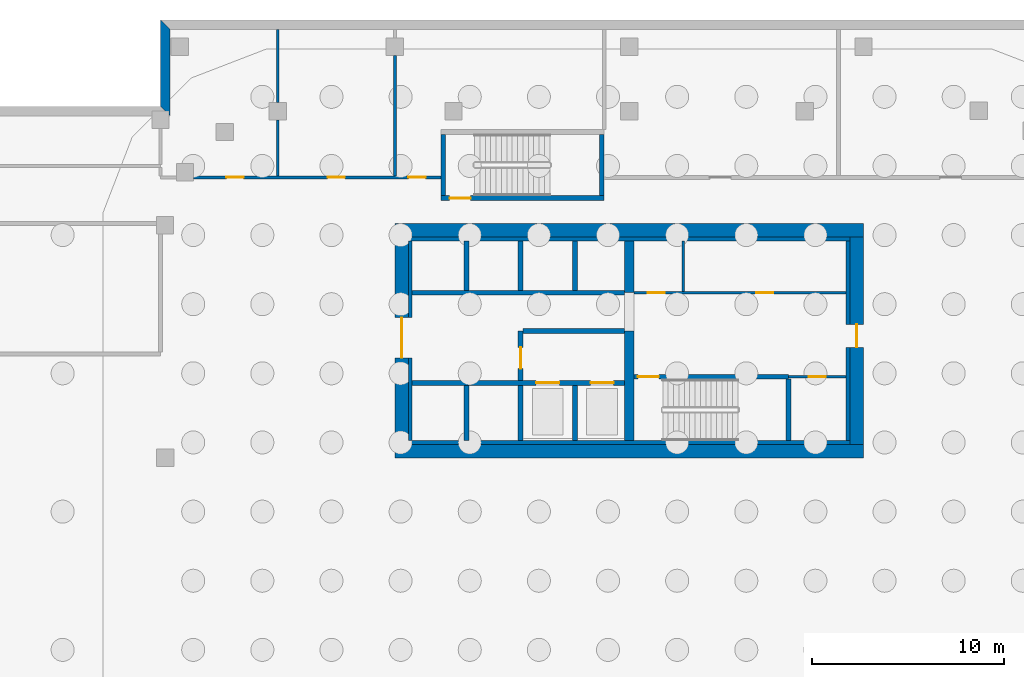
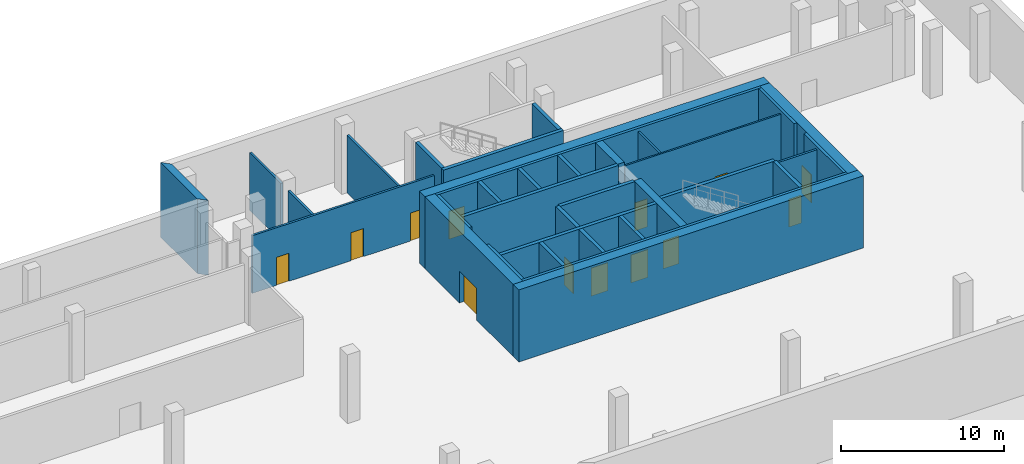
# One storey, part 8 of 13: 35 walls, 13 doors, 13 openings.
"""IFC4 building model written with IfcOpenShell, lengths in metres."""

from ifc_helpers import new_model, si_unit, direction, frame, frame_2d, origin, place, context, subcontext, project, spatial, polyline, rectangle, outline, extrude, source, transform, mapped, material, layer, layer_set, type_object, element, fill, save


model = new_model("IFC4")

# Units and contexts
model_context = context("Model", 3, precision=1e-05, world=origin(), true_north=direction((0.0, 1.0)))
body_context = subcontext(model_context, "Body", "Model", "MODEL_VIEW")
ifc_project = project(units=[si_unit("LENGTHUNIT", "METRE"), si_unit("AREAUNIT", "SQUARE_METRE"), si_unit("VOLUMEUNIT", "CUBIC_METRE"), si_unit("PLANEANGLEUNIT", "RADIAN"), si_unit("MASSUNIT", "GRAM", prefix="KILO")], contexts=[model_context])

# Site, building, storey
site_placement = place(None, origin())
site = spatial("IfcSite", under=ifc_project, at=site_placement, CompositionType="ELEMENT")
building_placement = place(site_placement, origin())
building = spatial("IfcBuilding", under=site, at=building_placement, Name="Tessera Gate Towers", CompositionType="ELEMENT")
storey_placement = place(building_placement, frame((0.0, 0.0, -5.39990234375)))
storey = spatial("IfcBuildingStorey", under=building, at=storey_placement, Name="B1", CompositionType="ELEMENT", Elevation=-5.39990234375)

# Wall, openings, doors
ifc_material_1 = material(Name="Concrete C40/50", Category="concrete")
ifc_layer_1 = layer(ifc_material_1, 0.25)
ifc_layer_set_1 = layer_set([ifc_layer_1], Name="CORE ENCLOSURE WALL 250")
wall_type_1 = type_object("IfcWallType", Name="CORE ENCLOSURE WALL 250", PredefinedType="SOLIDWALL", material=ifc_layer_set_1)
wall_1_placement = place(storey_placement, frame((98.5, 40.5, 0.0), z_axis=(0.0, 0.0, 1.0), x_axis=(1.0, 0.0, 0.0)))
wall_1 = element("IfcWall", 1, at=wall_1_placement, inside=storey, type_object=wall_type_1, Name="B1 shaft and stair enclosure wall", PredefinedType="SOLIDWALL", context=body_context, shape_type="SweptSolid", body=[
    extrude(rectangle(XDim=11.050048828125, YDim=0.25, at=frame_2d((5.52490234375, 0.0))), origin(), (0.0, 0.0, 1.0), 5.39990234375),
])
shared_shape_1 = source(origin(), body_context, "Body", "SweptSolid", [
    extrude(rectangle(XDim=1.199951171875, YDim=2.10009765625, at=frame_2d((0.60009765625, 1.050048828125))), frame((0.0, 0.135009765625, 0.0), z_axis=(0.0, -1.0, 0.0), x_axis=(1.0, 0.0, 0.0)), (0.0, 0.0, 1.0), 0.27001953125),
])
opening_1_placement = place(wall_1_placement, frame((6.46240234375, 0.0, 0.0)))
opening_1 = element("IfcOpeningElement", 2, at=opening_1_placement, cuts=wall_1, Name="Opening LD-FF3", PredefinedType="OPENING", context=body_context, shape_type="MappedRepresentation", body=[
    mapped(shared_shape_1, transform((0.0, 0.0, 0.0), scale=1.0)),
])
opening_2_placement = place(wall_1_placement, frame((9.28759765625, 0.0, 0.0)))
opening_2 = element("IfcOpeningElement", 3, at=opening_2_placement, cuts=wall_1, Name="Opening LD-FF4", PredefinedType="OPENING", context=body_context, shape_type="MappedRepresentation", body=[
    mapped(shared_shape_1, transform((0.0, 0.0, 0.0), scale=1.0)),
])
ifc_material_2 = material(Name="Stainless steel", Category="steel")
door_type_1 = type_object("IfcDoorType", Name="CORE DOOR LD1200 1200x2100", OperationType="DOUBLE_DOOR_SLIDING", PredefinedType="DOOR", material=ifc_material_2)
shared_shape_2 = source(origin(), body_context, "Body", "SweptSolid", [
    extrude(rectangle(XDim=1.199951171875, YDim=2.10009765625, at=frame_2d((0.60009765625, 1.050048828125))), frame((0.0, 0.02490234375, 0.0), z_axis=(0.0, -1.0, 0.0), x_axis=(1.0, 0.0, 0.0)), (0.0, 0.0, 1.0), 0.050048828125),
])
door_1_placement = place(opening_1_placement, origin())
door_1 = element("IfcDoor", 4, at=door_1_placement, inside=storey, type_object=door_type_1, Name="Landing door FF3 B1", OperationType="DOUBLE_DOOR_SLIDING", OverallHeight=2.10009765625, OverallWidth=1.199951171875, PredefinedType="DOOR", context=body_context, shape_type="MappedRepresentation", body=[
    mapped(shared_shape_2, transform((0.0, 0.0, 0.0), scale=1.0)),
])
fill(opening_1, door_1)
door_2_placement = place(opening_2_placement, origin())
door_2 = element("IfcDoor", 5, at=door_2_placement, inside=storey, type_object=door_type_1, Name="Landing door FF4 B1", OperationType="DOUBLE_DOOR_SLIDING", OverallHeight=2.10009765625, OverallWidth=1.199951171875, PredefinedType="DOOR", context=body_context, shape_type="MappedRepresentation", body=[
    mapped(shared_shape_2, transform((0.0, 0.0, 0.0), scale=1.0)),
])
fill(opening_2, door_2)

# Wall
wall_2_placement = place(storey_placement, frame((98.5, 45.199951171875, 0.0), z_axis=(0.0, 0.0, 1.0), x_axis=(1.0, 0.0, 0.0)))
element("IfcWall", 6, at=wall_2_placement, inside=storey, type_object=wall_type_1, Name="B1 shaft and stair enclosure wall", PredefinedType="SOLIDWALL", context=body_context, shape_type="SweptSolid", body=[
    extrude(rectangle(XDim=11.050048828125, YDim=0.25, at=frame_2d((5.52490234375, 0.0))), origin(), (0.0, 0.0, 1.0), 5.39990234375),
])

# Wall, opening, door
wall_3_placement = place(storey_placement, frame((118.10009765625, 40.824951171875, 0.0), z_axis=(0.0, 0.0, 1.0), x_axis=(-1.0, 0.0, 0.0)))
wall_3 = element("IfcWall", 7, at=wall_3_placement, inside=storey, type_object=wall_type_1, Name="B1 shaft and stair enclosure wall", PredefinedType="SOLIDWALL", context=body_context, shape_type="SweptSolid", body=[
    extrude(rectangle(XDim=8.050048828125, YDim=0.25, at=frame_2d((4.02490234375, 0.0))), origin(), (0.0, 0.0, 1.0), 5.39990234375),
])
shared_shape_3 = source(origin(), body_context, "Body", "SweptSolid", [
    extrude(rectangle(XDim=1.10009765625, YDim=2.10009765625, at=frame_2d((0.550048828125, 1.050048828125))), frame((0.0, 0.135009765625, 0.0), z_axis=(0.0, -1.0, 0.0), x_axis=(1.0, 0.0, 0.0)), (0.0, 0.0, 1.0), 0.27001953125),
])
opening_3_placement = place(wall_3_placement, frame((6.75, 0.0, 0.0)))
opening_3 = element("IfcOpeningElement", 8, at=opening_3_placement, cuts=wall_3, Name="Opening SD-ST6-1", PredefinedType="OPENING", context=body_context, shape_type="MappedRepresentation", body=[
    mapped(shared_shape_3, transform((0.0, 0.0, 0.0), scale=1.0)),
])
ifc_material_3 = material(Name="Hollow steel fire door", Category="steel")
door_type_2 = type_object("IfcDoorType", Name="CORE DOOR SD1100 1100x2100", OperationType="NOTDEFINED", PredefinedType="DOOR", material=ifc_material_3)
shared_shape_4 = source(origin(), body_context, "Body", "SweptSolid", [
    extrude(rectangle(XDim=1.10009765625, YDim=2.10009765625, at=frame_2d((0.550048828125, 1.050048828125))), frame((0.0, 0.02490234375, 0.0), z_axis=(0.0, -1.0, 0.0), x_axis=(1.0, 0.0, 0.0)), (0.0, 0.0, 1.0), 0.050048828125),
])
door_3_placement = place(opening_3_placement, origin())
door_3 = element("IfcDoor", 9, at=door_3_placement, inside=storey, type_object=door_type_2, Name="Stair door", OperationType="SINGLE_SWING_RIGHT", OverallHeight=2.10009765625, OverallWidth=1.10009765625, PredefinedType="DOOR", context=body_context, shape_type="MappedRepresentation", body=[
    mapped(shared_shape_4, transform((0.0, 0.0, 0.0), scale=1.0)),
])
fill(opening_3, door_3)

# Wall
wall_4_placement = place(storey_placement, frame((104.14990234375, 37.5, 0.0), z_axis=(0.0, 0.0, 1.0), x_axis=(0.0, 1.0, 0.0)))
element("IfcWall", 10, at=wall_4_placement, inside=storey, type_object=wall_type_1, Name="B1 shaft and stair enclosure wall", PredefinedType="SOLIDWALL", context=body_context, shape_type="SweptSolid", body=[
    extrude(rectangle(XDim=2.875, YDim=0.25, at=frame_2d((1.4375, 0.0))), origin(), (0.0, 0.0, 1.0), 5.39990234375),
])

# Wall, opening, door
wall_5_placement = place(storey_placement, frame((104.14990234375, 43.199951171875, 0.0), z_axis=(0.0, 0.0, 1.0), x_axis=(0.0, -1.0, 0.0)))
wall_5 = element("IfcWall", 11, at=wall_5_placement, inside=storey, type_object=wall_type_1, Name="B1 shaft and stair enclosure wall", PredefinedType="SOLIDWALL", context=body_context, shape_type="SweptSolid", body=[
    extrude(rectangle(XDim=2.574951171875, YDim=0.25, at=frame_2d((1.28759765625, 0.0))), origin(), (0.0, 0.0, 1.0), 5.39990234375),
])
opening_4_placement = place(wall_5_placement, frame((0.85009765625, 0.0, 0.0)))
opening_4 = element("IfcOpeningElement", 12, at=opening_4_placement, cuts=wall_5, Name="Opening FD-T2-01-03", PredefinedType="OPENING", context=body_context, shape_type="MappedRepresentation", body=[
    mapped(shared_shape_3, transform((0.0, 0.0, 0.0), scale=1.0)),
])
ifc_material_4 = material(Name="Hollow steel fire door", Category="steel")
door_type_3 = type_object("IfcDoorType", Name="CORE DOOR FD 1100x2100", OperationType="NOTDEFINED", PredefinedType="DOOR", material=ifc_material_4)
door_4_placement = place(opening_4_placement, origin())
door_4 = element("IfcDoor", 13, at=door_4_placement, inside=storey, type_object=door_type_3, Name="Fire-fighting lobby door", OperationType="SINGLE_SWING_RIGHT", OverallHeight=2.10009765625, OverallWidth=1.10009765625, PredefinedType="DOOR", context=body_context, shape_type="MappedRepresentation", body=[
    mapped(shared_shape_4, transform((0.0, 0.0, 0.0), scale=1.0)),
])
fill(opening_4, door_4)

# Walls
wall_6_placement = place(storey_placement, frame((104.27490234375, 43.199951171875, 0.0), z_axis=(0.0, 0.0, 1.0), x_axis=(1.0, 0.0, 0.0)))
element("IfcWall", 14, at=wall_6_placement, inside=storey, type_object=wall_type_1, Name="B1 shaft and stair enclosure wall", PredefinedType="SOLIDWALL", context=body_context, shape_type="SweptSolid", body=[
    extrude(rectangle(XDim=5.275146484375, YDim=0.25, at=frame_2d((2.6376953125, 0.0))), origin(), (0.0, 0.0, 1.0), 5.39990234375),
])
wall_7_placement = place(storey_placement, frame((118.10009765625, 37.5, 0.0), z_axis=(0.0, 0.0, 1.0), x_axis=(0.0, 1.0, 0.0)))
element("IfcWall", 15, at=wall_7_placement, inside=storey, type_object=wall_type_1, Name="B1 shaft and stair enclosure wall", PredefinedType="SOLIDWALL", context=body_context, shape_type="SweptSolid", body=[
    extrude(rectangle(XDim=3.199951171875, YDim=0.25, at=frame_2d((1.60009765625, 0.0))), origin(), (0.0, 0.0, 1.0), 5.39990234375),
])
for number, where, z_axis, x_axis, name in (
    (16, (101.324951171875, 37.5, 0.0), (0.0, 0.0, 1.0), (0.0, 1.0, 0.0), "B1 shaft and stair enclosure wall"),
    (17, (106.97509765625, 37.5, 0.0), (0.0, 0.0, 1.0), (0.0, 1.0, 0.0), "B1 shaft and stair enclosure wall"),
):
    element("IfcWall", number, at=place(storey_placement, frame(where, z_axis=z_axis, x_axis=x_axis)), inside=storey, type_object=wall_type_1, Name=name, PredefinedType="SOLIDWALL", context=body_context, shape_type="SweptSolid", body=[
        extrude(rectangle(XDim=2.875, YDim=0.25, at=frame_2d((1.4375, 0.0))), origin(), (0.0, 0.0, 1.0), 5.39990234375),
    ])
for number, where, z_axis, x_axis, name in (
    (18, (101.324951171875, 45.324951171875, 0.0), (0.0, 0.0, 1.0), (0.0, 1.0, 0.0), "B1 shaft and stair enclosure wall"),
    (19, (104.14990234375, 45.324951171875, 0.0), (0.0, 0.0, 1.0), (0.0, 1.0, 0.0), "B1 shaft and stair enclosure wall"),
    (20, (106.97509765625, 45.324951171875, 0.0), (0.0, 0.0, 1.0), (0.0, 1.0, 0.0), "B1 shaft and stair enclosure wall"),
):
    element("IfcWall", number, at=place(storey_placement, frame(where, z_axis=z_axis, x_axis=x_axis)), inside=storey, type_object=wall_type_1, Name=name, PredefinedType="SOLIDWALL", context=body_context, shape_type="SweptSolid", body=[
        extrude(rectangle(XDim=2.574951171875, YDim=0.25, at=frame_2d((1.28759765625, 0.0))), origin(), (0.0, 0.0, 1.0), 5.39990234375),
    ])

# Wall, opening, door
wall_8_placement = place(storey_placement, frame((108.5, 50.125, 0.0), z_axis=(0.0, 0.0, 1.0), x_axis=(-1.0, 0.0, 0.0)))
wall_8 = element("IfcWall", 21, at=wall_8_placement, inside=storey, type_object=wall_type_1, Name="B1 ST7 enclosure wall", PredefinedType="SOLIDWALL", context=body_context, shape_type="SweptSolid", body=[
    extrude(rectangle(XDim=8.5, YDim=0.25, at=frame_2d((4.25, 0.0))), origin(), (0.0, 0.0, 1.0), 5.39990234375),
])
opening_5_placement = place(wall_8_placement, frame((6.949951171875, 0.0, 0.0)))
opening_5 = element("IfcOpeningElement", 22, at=opening_5_placement, cuts=wall_8, Name="Opening SD-ST7-1", PredefinedType="OPENING", context=body_context, shape_type="MappedRepresentation", body=[
    mapped(shared_shape_3, transform((0.0, 0.0, 0.0), scale=1.0)),
])
door_5_placement = place(opening_5_placement, origin())
door_5 = element("IfcDoor", 23, at=door_5_placement, inside=storey, type_object=door_type_2, Name="Stair door", OperationType="SINGLE_SWING_RIGHT", OverallHeight=2.10009765625, OverallWidth=1.10009765625, PredefinedType="DOOR", context=body_context, shape_type="MappedRepresentation", body=[
    mapped(shared_shape_4, transform((0.0, 0.0, 0.0), scale=1.0)),
])
fill(opening_5, door_5)

# Walls
for number, where, z_axis, x_axis, name in (
    (24, (100.125, 50.25, 0.0), (0.0, 0.0, 1.0), (0.0, 1.0, 0.0), "B1 ST7 enclosure wall"),
    (25, (108.375, 53.449951171875, 0.0), (0.0, 0.0, 1.0), (0.0, -1.0, 0.0), "B1 ST7 enclosure wall"),
):
    element("IfcWall", number, at=place(storey_placement, frame(where, z_axis=z_axis, x_axis=x_axis)), inside=storey, type_object=wall_type_1, Name=name, PredefinedType="SOLIDWALL", context=body_context, shape_type="SweptSolid", body=[
        extrude(rectangle(XDim=3.199951171875, YDim=0.25, at=frame_2d((1.60009765625, 0.0))), origin(), (0.0, 0.0, 1.0), 5.39990234375),
    ])

# Wall, openings, doors
ifc_material_5 = material(Name="Gypsum board on steel studs", Category="steel")
ifc_layer_2 = layer(ifc_material_5, 0.1201171875)
ifc_layer_set_2 = layer_set([ifc_layer_2], Name="CORE PARTITION 120")
wall_type_2 = type_object("IfcWallType", Name="CORE PARTITION 120", PredefinedType="PARTITIONING", material=ifc_layer_set_2)
wall_9_placement = place(storey_placement, frame((110.050048828125, 45.199951171875, 0.0), z_axis=(0.0, 0.0, 1.0), x_axis=(1.0, 0.0, 0.0)))
wall_9 = element("IfcWall", 26, at=wall_9_placement, inside=storey, type_object=wall_type_2, Name="B1 core partition", PredefinedType="PARTITIONING", context=body_context, shape_type="SweptSolid", body=[
    extrude(rectangle(XDim=11.050048828125, YDim=0.1201171875, at=frame_2d((5.52490234375, 0.0))), origin(), (0.0, 0.0, 1.0), 5.14990234375),
])
shared_shape_5 = source(origin(), body_context, "Body", "SweptSolid", [
    extrude(rectangle(XDim=0.89990234375, YDim=2.10009765625, at=frame_2d((0.449951171875, 1.050048828125))), frame((0.0, 0.070068359375, 0.0), z_axis=(0.0, -1.0, 0.0), x_axis=(1.0, 0.0, 0.0)), (0.0, 0.0, 1.0), 0.14013671875),
])
opening_6_placement = place(wall_9_placement, frame((0.71240234375, 0.0, 0.0)))
opening_6 = element("IfcOpeningElement", 27, at=opening_6_placement, cuts=wall_9, Name="Opening RD-T2-01-04", PredefinedType="OPENING", context=body_context, shape_type="MappedRepresentation", body=[
    mapped(shared_shape_5, transform((0.0, 0.0, 0.0), scale=1.0)),
])
opening_7_placement = place(wall_9_placement, frame((6.362548828125, 0.0, 0.0)))
opening_7 = element("IfcOpeningElement", 28, at=opening_7_placement, cuts=wall_9, Name="Opening RD-T2-01-05", PredefinedType="OPENING", context=body_context, shape_type="MappedRepresentation", body=[
    mapped(shared_shape_5, transform((0.0, 0.0, 0.0), scale=1.0)),
])
ifc_material_6 = material(Name="Hollow steel fire door", Category="steel")
door_type_4 = type_object("IfcDoorType", Name="CORE DOOR RD 900x2100", OperationType="NOTDEFINED", PredefinedType="DOOR", material=ifc_material_6)
shared_shape_6 = source(origin(), body_context, "Body", "SweptSolid", [
    extrude(rectangle(XDim=0.89990234375, YDim=2.10009765625, at=frame_2d((0.449951171875, 1.050048828125))), frame((0.0, 0.02490234375, 0.0), z_axis=(0.0, -1.0, 0.0), x_axis=(1.0, 0.0, 0.0)), (0.0, 0.0, 1.0), 0.050048828125),
])
door_6_placement = place(opening_6_placement, origin())
door_6 = element("IfcDoor", 29, at=door_6_placement, inside=storey, type_object=door_type_4, Name="Core room door", OperationType="SINGLE_SWING_LEFT", OverallHeight=2.10009765625, OverallWidth=0.89990234375, PredefinedType="DOOR", context=body_context, shape_type="MappedRepresentation", body=[
    mapped(shared_shape_6, transform((0.0, 0.0, 0.0), scale=1.0)),
])
fill(opening_6, door_6)
door_7_placement = place(opening_7_placement, origin())
door_7 = element("IfcDoor", 30, at=door_7_placement, inside=storey, type_object=door_type_4, Name="Core room door", OperationType="SINGLE_SWING_RIGHT", OverallHeight=2.10009765625, OverallWidth=0.89990234375, PredefinedType="DOOR", context=body_context, shape_type="MappedRepresentation", body=[
    mapped(shared_shape_6, transform((0.0, 0.0, 0.0), scale=1.0)),
])
fill(opening_7, door_7)

# Walls
wall_10_placement = place(storey_placement, frame((112.625, 45.260009765625, 0.0), z_axis=(0.0, 0.0, 1.0), x_axis=(0.0, 1.0, 0.0)))
element("IfcWall", 31, at=wall_10_placement, inside=storey, type_object=wall_type_2, Name="B1 core partition", PredefinedType="PARTITIONING", context=body_context, shape_type="SweptSolid", body=[
    extrude(rectangle(XDim=2.639892578125, YDim=0.1201171875, at=frame_2d((1.31982421875, 0.0))), origin(), (0.0, 0.0, 1.0), 5.14990234375),
])
ifc_material_7 = material(Name="Concrete C60/75", Category="concrete")
ifc_layer_3 = layer(ifc_material_7, 0.699951171875)
ifc_layer_set_3 = layer_set([ifc_layer_3], Name="CORE SHEAR WALL 700 C60/75")
wall_type_3 = type_object("IfcWallType", Name="CORE SHEAR WALL 700 C60/75", PredefinedType="SHEAR", material=ifc_layer_set_3)
wall_11_placement = place(storey_placement, frame((122.0, 36.949951171875, 0.0), z_axis=(0.0, 0.0, 1.0), x_axis=(-1.0, 0.0, 0.0)))
element("IfcWall", 32, at=wall_11_placement, inside=storey, type_object=wall_type_3, Name="Core wall S B1", PredefinedType="SHEAR", context=body_context, shape_type="SweptSolid", body=[
    extrude(rectangle(XDim=24.39990234375, YDim=0.699951171875, at=frame_2d((12.199951171875, 0.0))), origin(), (0.0, 0.0, 1.0), 5.39990234375),
])

# Wall, opening, door
wall_12_placement = place(storey_placement, frame((97.949951171875, 37.300048828125, 0.0), z_axis=(0.0, 0.0, 1.0), x_axis=(0.0, 1.0, 0.0)))
wall_12 = element("IfcWall", 33, at=wall_12_placement, inside=storey, type_object=wall_type_3, Name="Core wall W B1", PredefinedType="SHEAR", context=body_context, shape_type="SweptSolid", body=[
    extrude(rectangle(XDim=10.800048828125, YDim=0.699951171875, at=frame_2d((5.39990234375, 0.0))), origin(), (0.0, 0.0, 1.0), 5.39990234375),
])
shared_shape_7 = source(origin(), body_context, "Body", "SweptSolid", [
    extrude(rectangle(XDim=2.10009765625, YDim=2.39990234375, at=frame_2d((1.050048828125, 1.199951171875))), frame((0.0, 0.35986328125, 0.0), z_axis=(0.0, -1.0, 0.0), x_axis=(1.0, 0.0, 0.0)), (0.0, 0.0, 1.0), 0.719970703125),
])
opening_8_placement = place(wall_12_placement, frame((4.5, 0.0, 0.0)))
opening_8 = element("IfcOpeningElement", 34, at=opening_8_placement, cuts=wall_12, Name="Opening DD-T2-01-01", PredefinedType="OPENING", context=body_context, shape_type="MappedRepresentation", body=[
    mapped(shared_shape_7, transform((0.0, 0.0, 0.0), scale=1.0)),
])
ifc_material_8 = material(Name="Hollow steel fire door", Category="steel")
door_type_5 = type_object("IfcDoorType", Name="CORE DOOR DD 2100x2400", OperationType="NOTDEFINED", PredefinedType="DOOR", material=ifc_material_8)
shared_shape_8 = source(origin(), body_context, "Body", "SweptSolid", [
    extrude(rectangle(XDim=2.10009765625, YDim=2.39990234375, at=frame_2d((1.050048828125, 1.199951171875))), frame((0.0, 0.02490234375, 0.0), z_axis=(0.0, -1.0, 0.0), x_axis=(1.0, 0.0, 0.0)), (0.0, 0.0, 1.0), 0.050048828125),
])
door_8_placement = place(opening_8_placement, origin())
door_8 = element("IfcDoor", 35, at=door_8_placement, inside=storey, type_object=door_type_5, Name="Core entrance door", OperationType="DOUBLE_DOOR_SINGLE_SWING", OverallHeight=2.39990234375, OverallWidth=2.10009765625, PredefinedType="DOOR", context=body_context, shape_type="MappedRepresentation", body=[
    mapped(shared_shape_8, transform((0.0, 0.0, 0.0), scale=1.0)),
])
fill(opening_8, door_8)

# Wall
wall_13_placement = place(storey_placement, frame((97.60009765625, 48.449951171875, 0.0), z_axis=(0.0, 0.0, 1.0), x_axis=(1.0, 0.0, 0.0)))
element("IfcWall", 36, at=wall_13_placement, inside=storey, type_object=wall_type_3, Name="Core wall N B1", PredefinedType="SHEAR", context=body_context, shape_type="SweptSolid", body=[
    extrude(rectangle(XDim=24.39990234375, YDim=0.699951171875, at=frame_2d((12.199951171875, 0.0))), origin(), (0.0, 0.0, 1.0), 5.39990234375),
])

# Wall, opening, door
wall_14_placement = place(storey_placement, frame((121.64990234375, 48.10009765625, 0.0), z_axis=(0.0, 0.0, 1.0), x_axis=(0.0, -1.0, 0.0)))
wall_14 = element("IfcWall", 37, at=wall_14_placement, inside=storey, type_object=wall_type_3, Name="Core wall E B1", PredefinedType="SHEAR", context=body_context, shape_type="SweptSolid", body=[
    extrude(rectangle(XDim=10.800048828125, YDim=0.699951171875, at=frame_2d((5.39990234375, 0.0))), origin(), (0.0, 0.0, 1.0), 5.39990234375),
])
shared_shape_9 = source(origin(), body_context, "Body", "SweptSolid", [
    extrude(rectangle(XDim=1.199951171875, YDim=2.10009765625, at=frame_2d((0.60009765625, 1.050048828125))), frame((0.0, 0.35986328125, 0.0), z_axis=(0.0, -1.0, 0.0), x_axis=(1.0, 0.0, 0.0)), (0.0, 0.0, 1.0), 0.719970703125),
])
opening_9_placement = place(wall_14_placement, frame((4.550048828125, 0.0, 0.0)))
opening_9 = element("IfcOpeningElement", 38, at=opening_9_placement, cuts=wall_14, Name="Opening ED-T2-01-02", PredefinedType="OPENING", context=body_context, shape_type="MappedRepresentation", body=[
    mapped(shared_shape_9, transform((0.0, 0.0, 0.0), scale=1.0)),
])
ifc_material_9 = material(Name="Hollow steel fire door", Category="steel")
door_type_6 = type_object("IfcDoorType", Name="CORE DOOR ED 1200x2100", OperationType="NOTDEFINED", PredefinedType="DOOR", material=ifc_material_9)
door_9_placement = place(opening_9_placement, origin())
door_9 = element("IfcDoor", 39, at=door_9_placement, inside=storey, type_object=door_type_6, Name="Core exit door", OperationType="SINGLE_SWING_LEFT", OverallHeight=2.10009765625, OverallWidth=1.199951171875, PredefinedType="DOOR", context=body_context, shape_type="MappedRepresentation", body=[
    mapped(shared_shape_2, transform((0.0, 0.0, 0.0), scale=1.0)),
])
fill(opening_9, door_9)

# Walls
ifc_material_10 = material(Name="Concrete C60/75", Category="concrete")
ifc_layer_4 = layer(ifc_material_10, 0.5)
ifc_layer_set_4 = layer_set([ifc_layer_4], Name="CORE SPINE WALL 500 C60/75")
wall_type_4 = type_object("IfcWallType", Name="CORE SPINE WALL 500 C60/75", PredefinedType="SHEAR", material=ifc_layer_set_4)
wall_15_placement = place(storey_placement, frame((109.800048828125, 37.5, 0.0), z_axis=(0.0, 0.0, 1.0), x_axis=(0.0, 1.0, 0.0)))
element("IfcWall", 40, at=wall_15_placement, inside=storey, type_object=wall_type_4, Name="Core wall spine B1", PredefinedType="SHEAR", context=body_context, shape_type="SweptSolid", body=[
    extrude(rectangle(XDim=5.699951171875, YDim=0.5, at=frame_2d((2.85009765625, 0.0))), origin(), (0.0, 0.0, 1.0), 5.39990234375),
])
wall_16_placement = place(storey_placement, frame((109.800048828125, 45.199951171875, 0.0), z_axis=(0.0, 0.0, 1.0), x_axis=(0.0, 1.0, 0.0)))
element("IfcWall", 41, at=wall_16_placement, inside=storey, type_object=wall_type_4, Name="Core wall spine B1", PredefinedType="SHEAR", context=body_context, shape_type="SweptSolid", body=[
    extrude(rectangle(XDim=2.699951171875, YDim=0.5, at=frame_2d((1.35009765625, 0.0))), origin(), (0.0, 0.0, 1.0), 5.39990234375),
])
ifc_material_11 = material(Name="Concrete C60/75", Category="concrete")
ifc_layer_5 = layer(ifc_material_11, 0.199951171875)
ifc_layer_set_5 = layer_set([ifc_layer_5], Name="CORE WALL THICKENING 200")
wall_type_5 = type_object("IfcWallType", Name="CORE WALL THICKENING 200", PredefinedType="SOLIDWALL", material=ifc_layer_set_5)
for number, where, z_axis, x_axis, name in (
    (42, (98.300048828125, 37.39990234375, 0.0), (0.0, 0.0, 1.0), (1.0, 0.0, 0.0), "Core wall thickening S B1"),
    (43, (98.300048828125, 48.0, 0.0), (0.0, 0.0, 1.0), (1.0, 0.0, 0.0), "Core wall thickening N B1"),
):
    element("IfcWall", number, at=place(storey_placement, frame(where, z_axis=z_axis, x_axis=x_axis)), inside=storey, type_object=wall_type_5, Name=name, PredefinedType="SOLIDWALL", context=body_context, shape_type="SweptSolid", body=[
        extrude(rectangle(XDim=23.0, YDim=0.199951171875, at=frame_2d((11.5, 0.0))), origin(), (0.0, 0.0, 1.0), 5.39990234375),
    ])
wall_17_placement = place(storey_placement, frame((98.39990234375, 37.5, 0.0), z_axis=(0.0, 0.0, 1.0), x_axis=(0.0, 1.0, 0.0)))
element("IfcWall", 44, at=wall_17_placement, inside=storey, type_object=wall_type_5, Name="Core wall thickening W B1", PredefinedType="SOLIDWALL", context=body_context, shape_type="SweptSolid", body=[
    extrude(rectangle(XDim=4.300048828125, YDim=0.199951171875, at=frame_2d((2.14990234375, 0.0))), origin(), (0.0, 0.0, 1.0), 5.39990234375),
])
wall_18_placement = place(storey_placement, frame((98.39990234375, 43.89990234375, 0.0), z_axis=(0.0, 0.0, 1.0), x_axis=(0.0, 1.0, 0.0)))
element("IfcWall", 45, at=wall_18_placement, inside=storey, type_object=wall_type_5, Name="Core wall thickening W B1", PredefinedType="SOLIDWALL", context=body_context, shape_type="SweptSolid", body=[
    extrude(rectangle(XDim=4.0, YDim=0.199951171875, at=frame_2d((2.0, 0.0))), origin(), (0.0, 0.0, 1.0), 5.39990234375),
])
wall_19_placement = place(storey_placement, frame((121.199951171875, 37.5, 0.0), z_axis=(0.0, 0.0, 1.0), x_axis=(0.0, 1.0, 0.0)))
element("IfcWall", 46, at=wall_19_placement, inside=storey, type_object=wall_type_5, Name="Core wall thickening E B1", PredefinedType="SOLIDWALL", context=body_context, shape_type="SweptSolid", body=[
    extrude(rectangle(XDim=4.85009765625, YDim=0.199951171875, at=frame_2d((2.425048828125, 0.0))), origin(), (0.0, 0.0, 1.0), 5.39990234375),
])
wall_20_placement = place(storey_placement, frame((121.199951171875, 43.550048828125, 0.0), z_axis=(0.0, 0.0, 1.0), x_axis=(0.0, 1.0, 0.0)))
element("IfcWall", 47, at=wall_20_placement, inside=storey, type_object=wall_type_5, Name="Core wall thickening E B1", PredefinedType="SOLIDWALL", context=body_context, shape_type="SweptSolid", body=[
    extrude(rectangle(XDim=4.349853515625, YDim=0.199951171875, at=frame_2d((2.1748046875, 0.0))), origin(), (0.0, 0.0, 1.0), 5.39990234375),
])

# Wall, openings, doors
ifc_material_12 = material(Name="Gypsum board on steel studs, mineral wool", Category="steel")
ifc_layer_6 = layer(ifc_material_12, 0.14990234375)
ifc_layer_set_6 = layer_set([ifc_layer_6], Name="CORRIDOR WALL 150")
wall_type_6 = type_object("IfcWallType", Name="CORRIDOR WALL 150", PredefinedType="PARTITIONING", material=ifc_layer_set_6)
wall_21_placement = place(storey_placement, frame((87.125, 51.199951171875, 0.0), z_axis=(0.0, 0.0, 1.0), x_axis=(1.0, 0.0, 0.0)))
wall_21 = element("IfcWall", 48, at=wall_21_placement, inside=storey, type_object=wall_type_6, Name="PODIUM-B1-PW-024", PredefinedType="PARTITIONING", context=body_context, shape_type="SweptSolid", body=[
    extrude(rectangle(XDim=12.875, YDim=0.14990234375, at=frame_2d((6.4375, 0.0))), origin(), (0.0, 0.0, 1.0), 4.31494140625),
])
shared_shape_10 = source(origin(), body_context, "Body", "SweptSolid", [
    extrude(rectangle(XDim=0.89990234375, YDim=2.10009765625, at=frame_2d((0.449951171875, 1.050048828125))), frame((0.0, 0.0849609375, 0.0), z_axis=(0.0, -1.0, 0.0), x_axis=(1.0, 0.0, 0.0)), (0.0, 0.0, 1.0), 0.169921875),
])
opening_10_placement = place(wall_21_placement, frame((11.176025390625, 0.0, 0.0)))
opening_10 = element("IfcOpeningElement", 49, at=opening_10_placement, cuts=wall_21, Name="Opening D890FD60-P00-01", PredefinedType="OPENING", context=body_context, shape_type="MappedRepresentation", body=[
    mapped(shared_shape_10, transform((0.0, 0.0, 0.0), scale=1.0)),
])
opening_11_placement = place(wall_21_placement, frame((1.699951171875, 0.0, 0.0)))
opening_11 = element("IfcOpeningElement", 50, at=opening_11_placement, cuts=wall_21, Name="Opening D890FD60-P00-02", PredefinedType="OPENING", context=body_context, shape_type="MappedRepresentation", body=[
    mapped(shared_shape_10, transform((0.0, 0.0, 0.0), scale=1.0)),
])
opening_12_placement = place(wall_21_placement, frame((6.97607421875, 0.0, 0.0)))
opening_12 = element("IfcOpeningElement", 51, at=opening_12_placement, cuts=wall_21, Name="Opening D890FD60-P00-04", PredefinedType="OPENING", context=body_context, shape_type="MappedRepresentation", body=[
    mapped(shared_shape_10, transform((0.0, 0.0, 0.0), scale=1.0)),
])
ifc_material_13 = material(Name="Timber door leaf in steel frame", Category="steel")
door_type_7 = type_object("IfcDoorType", Name="CORRIDOR DOOR 900 FD60", OperationType="NOTDEFINED", PredefinedType="DOOR", material=ifc_material_13)
door_10_placement = place(opening_10_placement, origin())
door_10 = element("IfcDoor", 52, at=door_10_placement, inside=storey, type_object=door_type_7, Name="PODIUM-B1-PD-001", OperationType="SINGLE_SWING_LEFT", OverallHeight=2.10009765625, OverallWidth=0.89990234375, PredefinedType="DOOR", context=body_context, shape_type="MappedRepresentation", body=[
    mapped(shared_shape_6, transform((0.0, 0.0, 0.0), scale=1.0)),
])
fill(opening_10, door_10)
door_11_placement = place(opening_11_placement, origin())
door_11 = element("IfcDoor", 53, at=door_11_placement, inside=storey, type_object=door_type_7, Name="PODIUM-B1-PD-003", OperationType="SINGLE_SWING_LEFT", OverallHeight=2.10009765625, OverallWidth=0.89990234375, PredefinedType="DOOR", context=body_context, shape_type="MappedRepresentation", body=[
    mapped(shared_shape_6, transform((0.0, 0.0, 0.0), scale=1.0)),
])
fill(opening_11, door_11)
door_12_placement = place(opening_12_placement, origin())
door_12 = element("IfcDoor", 54, at=door_12_placement, inside=storey, type_object=door_type_7, Name="PODIUM-B1-PD-005", OperationType="SINGLE_SWING_LEFT", OverallHeight=2.10009765625, OverallWidth=0.89990234375, PredefinedType="DOOR", context=body_context, shape_type="MappedRepresentation", body=[
    mapped(shared_shape_6, transform((0.0, 0.0, 0.0), scale=1.0)),
])
fill(opening_12, door_12)

# Wall
ifc_material_14 = material(Name="Concrete C40/50", Category="concrete")
ifc_layer_7 = layer(ifc_material_14, 0.5)
ifc_layer_set_7 = layer_set([ifc_layer_7], Name="RETAINING WALL 500 C40/50")
wall_type_7 = type_object("IfcWallType", Name="RETAINING WALL 500 C40/50", PredefinedType="SOLIDWALL", material=ifc_layer_set_7)
wall_22_placement = place(storey_placement, frame((0.0, 0.0, -0.2001953125)))
element("IfcWall", 55, at=wall_22_placement, inside=storey, type_object=wall_type_7, Name="PD-B1-RETAINING-19", PredefinedType="SOLIDWALL", context=body_context, shape_type="SweptSolid", body=[
    extrude(outline(polyline([(85.39990234375, 54.89990234375), (85.89990234375, 54.39990234375), (85.89990234375, 58.89990234375), (85.39990234375, 59.39990234375), (85.39990234375, 54.89990234375)])), origin(), (0.0, 0.0, 1.0), 5.60009765625),
])

# Wall, opening, door
ifc_material_15 = material(Name="Gypsum board on steel studs", Category="steel")
ifc_layer_8 = layer(ifc_material_15, 0.14990234375)
ifc_layer_set_8 = layer_set([ifc_layer_8], Name="SERVICE ROOM WALL 150")
wall_type_8 = type_object("IfcWallType", Name="SERVICE ROOM WALL 150", PredefinedType="PARTITIONING", material=ifc_layer_set_8)
wall_23_placement = place(storey_placement, frame((121.10009765625, 40.824951171875, 0.0), z_axis=(0.0, 0.0, 1.0), x_axis=(-1.0, 0.0, 0.0)))
wall_23 = element("IfcWall", 56, at=wall_23_placement, inside=storey, type_object=wall_type_8, Name="B1 service room wall", PredefinedType="PARTITIONING", context=body_context, shape_type="SweptSolid", body=[
    extrude(rectangle(XDim=3.0, YDim=0.14990234375, at=frame_2d((1.5, 0.0))), origin(), (0.0, 0.0, 1.0), 5.14990234375),
])
opening_13_placement = place(wall_23_placement, frame((1.050048828125, 0.0, 0.0)))
opening_13 = element("IfcOpeningElement", 57, at=opening_13_placement, cuts=wall_23, Name="Opening RD-T2-01-06", PredefinedType="OPENING", context=body_context, shape_type="MappedRepresentation", body=[
    mapped(shared_shape_10, transform((0.0, 0.0, 0.0), scale=1.0)),
])
door_13_placement = place(opening_13_placement, origin())
door_13 = element("IfcDoor", 58, at=door_13_placement, inside=storey, type_object=door_type_4, Name="Core room door", OperationType="SINGLE_SWING_RIGHT", OverallHeight=2.10009765625, OverallWidth=0.89990234375, PredefinedType="DOOR", context=body_context, shape_type="MappedRepresentation", body=[
    mapped(shared_shape_6, transform((0.0, 0.0, 0.0), scale=1.0)),
])
fill(opening_13, door_13)

# Walls
ifc_material_16 = material(Name="Gypsum board on steel studs, mineral wool", Category="steel")
ifc_layer_9 = layer(ifc_material_16, 0.14990234375)
ifc_layer_set_9 = layer_set([ifc_layer_9], Name="TENANCY WALL 150")
wall_type_9 = type_object("IfcWallType", Name="TENANCY WALL 150", PredefinedType="PARTITIONING", material=ifc_layer_set_9)
wall_24_placement = place(storey_placement, frame((91.5, 51.27587890625, 0.0), z_axis=(0.0, 0.0, 1.0), x_axis=(0.0, 1.0, 0.0)))
element("IfcWall", 59, at=wall_24_placement, inside=storey, type_object=wall_type_9, Name="PODIUM-B1-PW-028", PredefinedType="PARTITIONING", context=body_context, shape_type="SweptSolid", body=[
    extrude(rectangle(XDim=2.923095703125, YDim=0.14990234375, at=frame_2d((1.46142578125, 0.0))), origin(), (0.0, 0.0, 1.0), 4.31494140625),
])
wall_25_placement = place(storey_placement, frame((97.60009765625, 51.27587890625, 0.0), z_axis=(0.0, 0.0, 1.0), x_axis=(0.0, 1.0, 0.0)))
element("IfcWall", 60, at=wall_25_placement, inside=storey, type_object=wall_type_9, Name="PODIUM-B1-PW-029", PredefinedType="PARTITIONING", context=body_context, shape_type="SweptSolid", body=[
    extrude(rectangle(XDim=6.273193359375, YDim=0.14990234375, at=frame_2d((3.13671875, 0.0))), origin(), (0.0, 0.0, 1.0), 4.31494140625),
])
wall_26_placement = place(storey_placement, frame((91.5, 55.10107421875, 0.0), z_axis=(0.0, 0.0, 1.0), x_axis=(0.0, 1.0, 0.0)))
element("IfcWall", 61, at=wall_26_placement, inside=storey, type_object=wall_type_9, Name="PODIUM-B1-PW-044", PredefinedType="PARTITIONING", context=body_context, shape_type="SweptSolid", body=[
    extrude(rectangle(XDim=3.798828125, YDim=0.14990234375, at=frame_2d((1.8994140625, 0.0))), origin(), (0.0, 0.0, 1.0), 4.31494140625),
])

save(model, "model.ifc")
